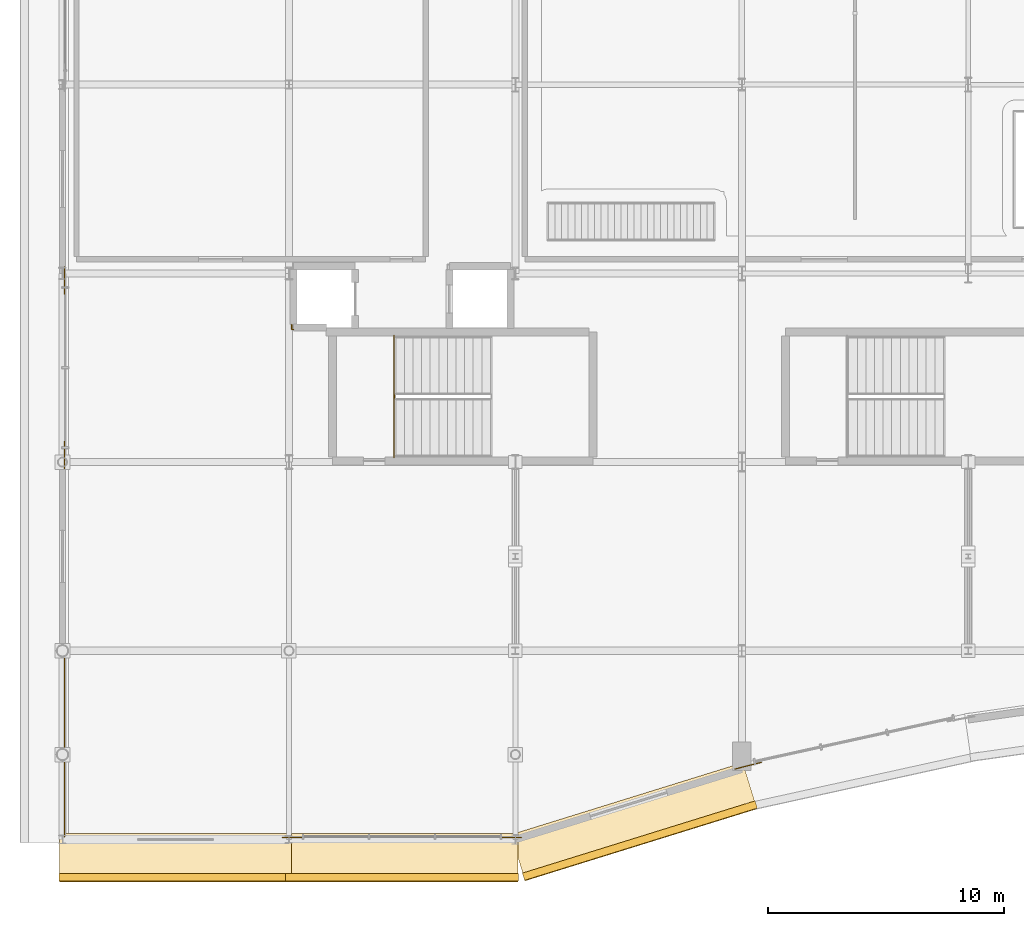
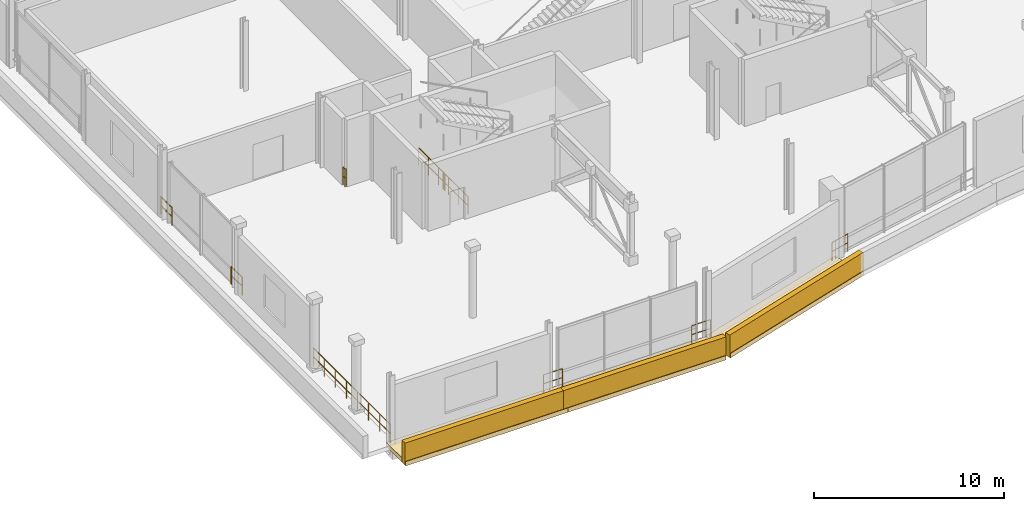
# One storey, part 172 of 193: 9 railings, 6 coverings.
"""IFC4 building model written with IfcOpenShell, lengths in metres."""

from ifc_helpers import new_model, si_unit, direction, frame, origin, origin_2d, place, context, subcontext, project, spatial, rectangle, circle, extrude, material, layer, layer_set, type_object, element, save


model = new_model("IFC4")

# Units and contexts
model_context = context("Model", 3, precision=1e-05, world=origin(), true_north=direction((0.0, 1.0)))
body_context = subcontext(model_context, "Body", "Model", "MODEL_VIEW")
ifc_project = project(units=[si_unit("LENGTHUNIT", "METRE"), si_unit("AREAUNIT", "SQUARE_METRE"), si_unit("VOLUMEUNIT", "CUBIC_METRE"), si_unit("PLANEANGLEUNIT", "RADIAN"), si_unit("MASSUNIT", "GRAM", prefix="KILO")], contexts=[model_context])

# Site, building, storey
site_placement = place(None, origin())
site = spatial("IfcSite", under=ifc_project, at=site_placement, CompositionType="ELEMENT")
building_placement = place(site_placement, origin())
building = spatial("IfcBuilding", under=site, at=building_placement, Name="Danafjord Basin Convention Centre", CompositionType="ELEMENT")
storey_placement = place(building_placement, frame((0.0, 0.0, 11.39990234375)))
storey = spatial("IfcBuildingStorey", under=building, at=storey_placement, Name="L02", CompositionType="ELEMENT", Elevation=11.39990234375)

# Coverings
ifc_material_1 = material(Name="Architectural white precast concrete C45/55", Category="concrete")
ifc_layer = layer(ifc_material_1, 0.320068359375)
ifc_layer_set = layer_set([ifc_layer], Name="Architectural white precast concrete C45/55")
covering_type = type_object("IfcCoveringType", Name="COV-BAND-HORIZ", PredefinedType="CLADDING", material=ifc_layer_set)
covering_1_placement = place(storey_placement, frame((4.800048828125, -0.77490234375, -0.27978515625), z_axis=(0.0, 0.0, 1.0), x_axis=(1.0, 0.0, 0.0)))
element("IfcCovering", 1, at=covering_1_placement, inside=storey, type_object=covering_type, Name="L02 stepped horizontal band soffit plate 13", PredefinedType="CLADDING", context=body_context, shape_type="SweptSolid", body=[
    extrude(rectangle(XDim=9.840087890625, YDim=2.050048828125, at=origin_2d()), origin(), (0.0, 0.0, 1.0), 0.280029296875),
])
covering_2_placement = place(storey_placement, frame((4.800048828125, -1.610107421875, -0.23974609375), z_axis=(0.0, 0.0, 1.0), x_axis=(1.0, 0.0, 0.0)))
element("IfcCovering", 2, at=covering_2_placement, inside=storey, type_object=covering_type, Name="L02 layered horizontal white spandrel band 13", PredefinedType="CLADDING", context=body_context, shape_type="SweptSolid", body=[
    extrude(rectangle(XDim=9.8798828125, YDim=0.320068359375, at=origin_2d()), origin(), (0.0, 0.0, 1.0), 1.419921875),
])
covering_3_placement = place(storey_placement, frame((14.39990234375, -0.77490234375, -0.27978515625), z_axis=(0.0, 0.0, 1.0), x_axis=(1.0, 0.0, 0.0)))
element("IfcCovering", 3, at=covering_3_placement, inside=storey, type_object=covering_type, Name="L02 stepped horizontal band soffit plate 14", PredefinedType="CLADDING", context=body_context, shape_type="SweptSolid", body=[
    extrude(rectangle(XDim=9.840087890625, YDim=2.050048828125, at=origin_2d()), origin(), (0.0, 0.0, 1.0), 0.280029296875),
])
covering_4_placement = place(storey_placement, frame((14.39990234375, -1.610107421875, -0.23974609375), z_axis=(0.0, 0.0, 1.0), x_axis=(1.0, 0.0, 0.0)))
element("IfcCovering", 4, at=covering_4_placement, inside=storey, type_object=covering_type, Name="L02 layered horizontal white spandrel band 14", PredefinedType="CLADDING", context=body_context, shape_type="SweptSolid", body=[
    extrude(rectangle(XDim=9.8798828125, YDim=0.320068359375, at=origin_2d()), origin(), (0.0, 0.0, 1.0), 1.419921875),
])
covering_5_placement = place(storey_placement, frame((24.229736328125, 0.749755859375, -0.27978515625), z_axis=(0.0, 0.0, 1.0), x_axis=(0.955044712757, 0.296461796249, 0.0)))
element("IfcCovering", 5, at=covering_5_placement, inside=storey, type_object=covering_type, Name="L02 stepped horizontal band soffit plate 15", PredefinedType="CLADDING", context=body_context, shape_type="SweptSolid", body=[
    extrude(rectangle(XDim=10.2919921875, YDim=2.050048828125, at=origin_2d()), origin(), (0.0, 0.0, 1.0), 0.280029296875),
])
covering_6_placement = place(storey_placement, frame((24.477294921875, -0.047607421875, -0.23974609375), z_axis=(0.0, 0.0, 1.0), x_axis=(0.955044712757, 0.296461796249, 0.0)))
element("IfcCovering", 6, at=covering_6_placement, inside=storey, type_object=covering_type, Name="L02 layered horizontal white spandrel band 15", PredefinedType="CLADDING", context=body_context, shape_type="SweptSolid", body=[
    extrude(rectangle(XDim=10.33203125, YDim=0.320068359375, at=origin_2d()), origin(), (0.0, 0.0, 1.0), 1.419921875),
])

# Railings
ifc_material_2 = material(Name="Laminated structural glass and stainless steel", Category="steel")
railing_type_1 = type_object("IfcRailingType", Name="RL-BAL-GLS", PredefinedType="BALUSTRADE", material=ifc_material_2)
railing_1_placement = place(storey_placement, frame((29.635986328125, 3.27294921875, 0.0)))
element("IfcRailing", 7, at=railing_1_placement, inside=storey, type_object=railing_type_1, Name="L02 safety guard balustrade 182", PredefinedType="BALUSTRADE", context=body_context, shape_type="SweptSolid", body=[
    extrude(circle(Radius=0.02392578125, at=origin_2d()), frame((0.0, 0.0, 1.1259765625), z_axis=(-0.969586875981, -0.244747400241, 0.0), x_axis=(0.244747400241, -0.969586875981, 0.0)), (0.0, 0.0, 1.0), 0.8828125),
    extrude(circle(Radius=0.02392578125, at=origin_2d()), frame((0.0, 0.0, 0.55078125), z_axis=(-0.969586875981, -0.244747400241, 0.0), x_axis=(0.244747400241, -0.969586875981, 0.0)), (0.0, 0.0, 1.0), 0.8828125),
    extrude(circle(Radius=0.02392578125, at=origin_2d()), frame((-0.85595703125, -0.216064453125, 1.1259765625), z_axis=(-0.964545266514, -0.263917465971, 0.0), x_axis=(0.263917465971, -0.964545266514, 0.0)), (0.0, 0.0, 1.0), 0.283935546875),
    extrude(circle(Radius=0.02392578125, at=origin_2d()), frame((-0.85595703125, -0.216064453125, 0.55078125), z_axis=(-0.964545266514, -0.263917465971, 0.0), x_axis=(0.263917465971, -0.964545266514, 0.0)), (0.0, 0.0, 1.0), 0.283935546875),
    extrude(circle(Radius=0.02099609375, at=origin_2d()), origin(), (0.0, 0.0, 1.0), 1.099853515625),
    extrude(circle(Radius=0.02099609375, at=origin_2d()), frame((-0.85595703125, -0.216064453125, 0.0)), (0.0, 0.0, 1.0), 1.099853515625),
    extrude(circle(Radius=0.02099609375, at=origin_2d()), frame((-1.1298828125, -0.291015625, 0.0)), (0.0, 0.0, 1.0), 1.099853515625),
])
railing_2_placement = place(storey_placement, frame((19.455078125, 0.080078125, 0.0)))
element("IfcRailing", 8, at=railing_2_placement, inside=storey, type_object=railing_type_1, Name="L02 safety guard balustrade 183", PredefinedType="BALUSTRADE", context=body_context, shape_type="SweptSolid", body=[
    extrude(circle(Radius=0.02392578125, at=origin_2d()), frame((0.0, 0.0, 1.1259765625), z_axis=(-1.0, 0.0, 0.0), x_axis=(0.0, -1.0, 0.0)), (0.0, 0.0, 1.0), 1.135009765625),
    extrude(circle(Radius=0.02392578125, at=origin_2d()), frame((0.0, 0.0, 0.55078125), z_axis=(-1.0, 0.0, 0.0), x_axis=(0.0, -1.0, 0.0)), (0.0, 0.0, 1.0), 1.135009765625),
    extrude(circle(Radius=0.02099609375, at=origin_2d()), origin(), (0.0, 0.0, 1.0), 1.099853515625),
    extrude(circle(Radius=0.02099609375, at=origin_2d()), frame((-1.135009765625, 0.0, 0.0)), (0.0, 0.0, 1.0), 1.099853515625),
])
railing_3_placement = place(storey_placement, frame((10.47998046875, 0.080078125, 0.0)))
element("IfcRailing", 9, at=railing_3_placement, inside=storey, type_object=railing_type_1, Name="L02 safety guard balustrade 184", PredefinedType="BALUSTRADE", context=body_context, shape_type="SweptSolid", body=[
    extrude(circle(Radius=0.02392578125, at=origin_2d()), frame((0.0, 0.0, 1.1259765625), z_axis=(-1.0, 0.0, 0.0), x_axis=(0.0, -1.0, 0.0)), (0.0, 0.0, 1.0), 1.159912109375),
    extrude(circle(Radius=0.02392578125, at=origin_2d()), frame((0.0, 0.0, 0.55078125), z_axis=(-1.0, 0.0, 0.0), x_axis=(0.0, -1.0, 0.0)), (0.0, 0.0, 1.0), 1.159912109375),
    extrude(circle(Radius=0.02099609375, at=origin_2d()), origin(), (0.0, 0.0, 1.0), 1.099853515625),
    extrude(circle(Radius=0.02099609375, at=origin_2d()), frame((-1.159912109375, 0.0, 0.0)), (0.0, 0.0, 1.0), 1.099853515625),
])
railing_4_placement = place(storey_placement, frame((0.080078125, 0.114990234375, 0.0)))
element("IfcRailing", 10, at=railing_4_placement, inside=storey, type_object=railing_type_1, Name="L02 safety guard balustrade 185", PredefinedType="BALUSTRADE", context=body_context, shape_type="SweptSolid", body=[
    extrude(circle(Radius=0.02392578125, at=origin_2d()), frame((0.0, 0.0, 1.1259765625), z_axis=(0.0, 1.0, 0.0), x_axis=(-1.0, 0.0, 0.0)), (0.0, 0.0, 1.0), 8.1650390625),
    extrude(circle(Radius=0.02392578125, at=origin_2d()), frame((0.0, 0.0, 0.55078125), z_axis=(0.0, 1.0, 0.0), x_axis=(-1.0, 0.0, 0.0)), (0.0, 0.0, 1.0), 8.1650390625),
    extrude(circle(Radius=0.02099609375, at=origin_2d()), origin(), (0.0, 0.0, 1.0), 1.099853515625),
    extrude(circle(Radius=0.02099609375, at=origin_2d()), frame((0.0, 1.16650390625, 0.0)), (0.0, 0.0, 1.0), 1.099853515625),
    extrude(circle(Radius=0.02099609375, at=origin_2d()), frame((0.0, 2.332763671875, 0.0)), (0.0, 0.0, 1.0), 1.099853515625),
    extrude(circle(Radius=0.02099609375, at=origin_2d()), frame((0.0, 3.499267578125, 0.0)), (0.0, 0.0, 1.0), 1.099853515625),
    extrude(circle(Radius=0.02099609375, at=origin_2d()), frame((0.0, 4.665771484375, 0.0)), (0.0, 0.0, 1.0), 1.099853515625),
    extrude(circle(Radius=0.02099609375, at=origin_2d()), frame((0.0, 5.832275390625, 0.0)), (0.0, 0.0, 1.0), 1.099853515625),
    extrude(circle(Radius=0.02099609375, at=origin_2d()), frame((0.0, 6.99853515625, 0.0)), (0.0, 0.0, 1.0), 1.099853515625),
    extrude(circle(Radius=0.02099609375, at=origin_2d()), frame((0.0, 8.1650390625, 0.0)), (0.0, 0.0, 1.0), 1.099853515625),
])
for number, where, name in (
    (11, (0.080078125, 15.719970703125, 0.0), "L02 safety guard balustrade 186"),
    (12, (0.080078125, 23.1201171875, 0.0), "L02 safety guard balustrade 187"),
):
    element("IfcRailing", number, at=place(storey_placement, frame(where)), inside=storey, type_object=railing_type_1, Name=name, PredefinedType="BALUSTRADE", context=body_context, shape_type="SweptSolid", body=[
        extrude(circle(Radius=0.02392578125, at=origin_2d()), frame((0.0, 0.0, 1.1259765625), z_axis=(0.0, 1.0, 0.0), x_axis=(-1.0, 0.0, 0.0)), (0.0, 0.0, 1.0), 1.159912109375),
        extrude(circle(Radius=0.02392578125, at=origin_2d()), frame((0.0, 0.0, 0.55078125), z_axis=(0.0, 1.0, 0.0), x_axis=(-1.0, 0.0, 0.0)), (0.0, 0.0, 1.0), 1.159912109375),
        extrude(circle(Radius=0.02099609375, at=origin_2d()), origin(), (0.0, 0.0, 1.0), 1.099853515625),
        extrude(circle(Radius=0.02099609375, at=origin_2d()), frame((0.0, 1.159912109375, 0.0)), (0.0, 0.0, 1.0), 1.099853515625),
    ])
railing_5_placement = place(storey_placement, frame((9.719970703125, 21.8349609375, 0.0)))
element("IfcRailing", 13, at=railing_5_placement, inside=storey, type_object=railing_type_1, Name="L02 safety guard balustrade 216", PredefinedType="BALUSTRADE", context=body_context, shape_type="SweptSolid", body=[
    extrude(circle(Radius=0.02392578125, at=origin_2d()), frame((0.0, 0.0, 1.1259765625), z_axis=(0.0, -1.0, 0.0), x_axis=(1.0, 0.0, 0.0)), (0.0, 0.0, 1.0), 0.21484375),
    extrude(circle(Radius=0.02392578125, at=origin_2d()), frame((0.0, 0.0, 0.55078125), z_axis=(0.0, -1.0, 0.0), x_axis=(1.0, 0.0, 0.0)), (0.0, 0.0, 1.0), 0.21484375),
    extrude(circle(Radius=0.02392578125, at=origin_2d()), frame((0.0, -0.21484375, 1.1259765625), z_axis=(1.0, 0.0, 0.0), x_axis=(0.0, 1.0, 0.0)), (0.0, 0.0, 1.0), 0.080078125),
    extrude(circle(Radius=0.02392578125, at=origin_2d()), frame((0.0, -0.21484375, 0.55078125), z_axis=(1.0, 0.0, 0.0), x_axis=(0.0, 1.0, 0.0)), (0.0, 0.0, 1.0), 0.080078125),
    extrude(circle(Radius=0.02099609375, at=origin_2d()), origin(), (0.0, 0.0, 1.0), 1.099853515625),
    extrude(circle(Radius=0.02099609375, at=origin_2d()), frame((0.0, -0.21484375, 0.0)), (0.0, 0.0, 1.0), 1.099853515625),
    extrude(circle(Radius=0.02099609375, at=origin_2d()), frame((0.080078125, -0.21484375, 0.0)), (0.0, 0.0, 1.0), 1.099853515625),
])
ifc_material_3 = material(Name="Galvanised and powder-coated steel S355", Category="steel")
railing_type_2 = type_object("IfcRailingType", Name="RL-BAL-STL", PredefinedType="BALUSTRADE", material=ifc_material_3)
railing_6_placement = place(storey_placement, frame((14.050048828125, 21.375, 0.0)))
element("IfcRailing", 14, at=railing_6_placement, inside=storey, type_object=railing_type_2, Name="L02 safety guard balustrade 211", PredefinedType="BALUSTRADE", context=body_context, shape_type="SweptSolid", body=[
    extrude(circle(Radius=0.02392578125, at=origin_2d()), frame((0.0, 0.0, 1.1259765625), z_axis=(0.0, -1.0, 0.0), x_axis=(1.0, 0.0, 0.0)), (0.0, 0.0, 1.0), 5.18994140625),
    extrude(circle(Radius=0.02392578125, at=origin_2d()), frame((0.0, 0.0, 0.55078125), z_axis=(0.0, -1.0, 0.0), x_axis=(1.0, 0.0, 0.0)), (0.0, 0.0, 1.0), 5.18994140625),
    extrude(circle(Radius=0.02099609375, at=origin_2d()), origin(), (0.0, 0.0, 1.0), 1.099853515625),
    extrude(circle(Radius=0.02099609375, at=origin_2d()), frame((0.0, -1.0380859375, 0.0)), (0.0, 0.0, 1.0), 1.099853515625),
    extrude(circle(Radius=0.02099609375, at=origin_2d()), frame((0.0, -2.075927734375, 0.0)), (0.0, 0.0, 1.0), 1.099853515625),
    extrude(circle(Radius=0.02099609375, at=origin_2d()), frame((0.0, -3.114013671875, 0.0)), (0.0, 0.0, 1.0), 1.099853515625),
    extrude(circle(Radius=0.02099609375, at=origin_2d()), frame((0.0, -4.15185546875, 0.0)), (0.0, 0.0, 1.0), 1.099853515625),
    extrude(circle(Radius=0.02099609375, at=origin_2d()), frame((0.0, -5.18994140625, 0.0)), (0.0, 0.0, 1.0), 1.099853515625),
])
ifc_material_4 = material(Name="Galvanised steel S355", Category="steel")
railing_type_3 = type_object("IfcRailingType", Name="RL-GD-WELL", PredefinedType="BALUSTRADE", material=ifc_material_4)
railing_7_placement = place(storey_placement, frame((14.080078125, 18.7099609375, 0.0)))
element("IfcRailing", 15, at=railing_7_placement, inside=storey, type_object=railing_type_3, Name="L02 ST-01 stair guard 4", PredefinedType="BALUSTRADE", context=body_context, shape_type="SweptSolid", body=[
    extrude(circle(Radius=0.02392578125, at=origin_2d()), frame((0.0, 0.0, 1.076171875), z_axis=(0.0, 1.0, 0.0), x_axis=(-1.0, 0.0, 0.0)), (0.0, 0.0, 1.0), 0.14013671875),
    extrude(circle(Radius=0.02392578125, at=origin_2d()), frame((0.0, 0.0, 0.52587890625), z_axis=(0.0, 1.0, 0.0), x_axis=(-1.0, 0.0, 0.0)), (0.0, 0.0, 1.0), 0.14013671875),
    extrude(circle(Radius=0.02099609375, at=origin_2d()), origin(), (0.0, 0.0, 1.0), 1.050048828125),
    extrude(circle(Radius=0.02099609375, at=origin_2d()), frame((0.0, 0.14013671875, 0.0)), (0.0, 0.0, 1.0), 1.050048828125),
])

save(model, "model.ifc")
